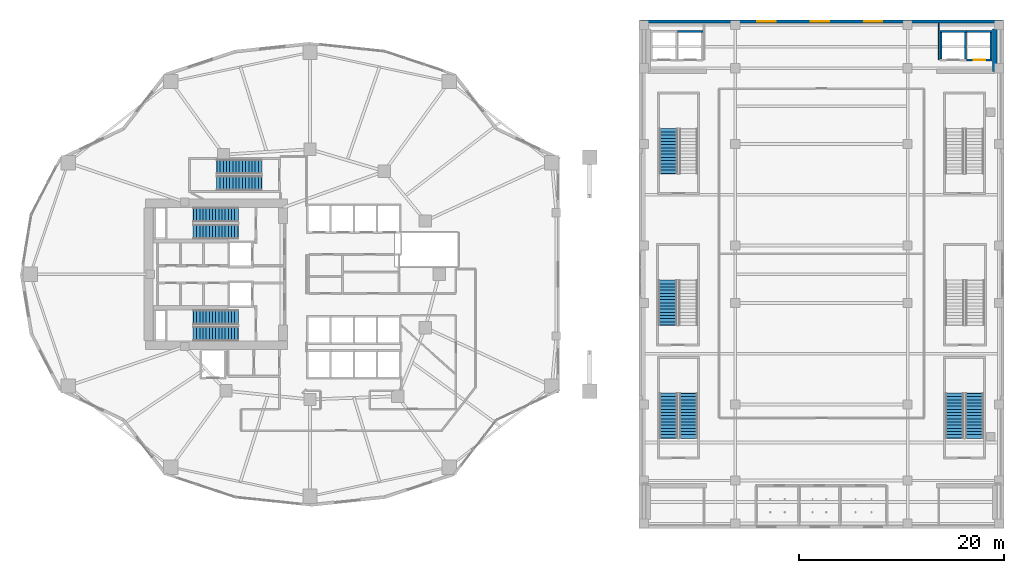
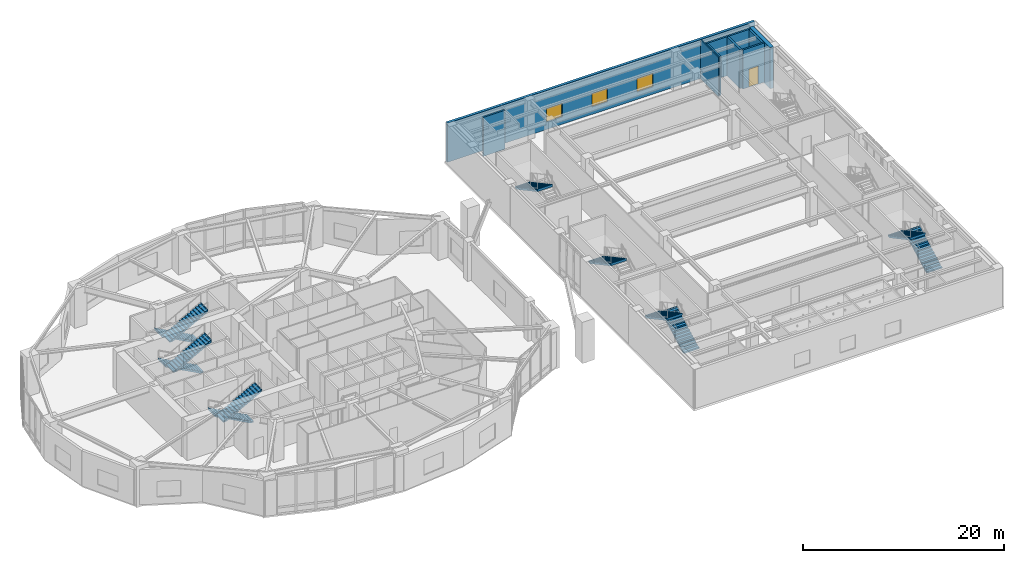
# One storey, part 16 of 21: 12 stair flights, 10 walls, 3 windows, 1 door, 4 openings, 7 elements without a shape of their own.
"""IFC4 building model written with IfcOpenShell, lengths in metres."""

from ifc_helpers import new_model, si_unit, direction, frame, frame_2d, origin, place, context, subcontext, project, spatial, polyline, rectangle, outline, extrude, material, layer, layer_set, type_object, element, fill, aggregate, save


model = new_model("IFC4")

# Units and contexts
model_context = context("Model", 3, precision=1e-05, world=origin(), true_north=direction((0.0, 1.0)))
body_context = subcontext(model_context, "Body", "Model", "MODEL_VIEW")
ifc_project = project(units=[si_unit("LENGTHUNIT", "METRE"), si_unit("AREAUNIT", "SQUARE_METRE"), si_unit("VOLUMEUNIT", "CUBIC_METRE"), si_unit("PLANEANGLEUNIT", "RADIAN"), si_unit("MASSUNIT", "GRAM", prefix="KILO")], contexts=[model_context])

# Site, building, storey
site_placement = place(None, origin())
site = spatial("IfcSite", under=ifc_project, at=site_placement, CompositionType="ELEMENT")
building_placement = place(site_placement, origin())
building = spatial("IfcBuilding", under=site, at=building_placement, Name="Kolvaren Gate Tower and Convention Centre", CompositionType="ELEMENT")
storey_placement = place(building_placement, frame((0.0, 0.0, 5.0)))
storey = spatial("IfcBuildingStorey", under=building, at=storey_placement, Name="L01", CompositionType="ELEMENT", Elevation=5.0)

# Walls
ifc_material_1 = material(Name="Fire-Rated Acoustic Gypsum Stud Partition", Category="gypsum")
ifc_layer_1 = layer(ifc_material_1, 0.1201171875)
ifc_layer_set_1 = layer_set([ifc_layer_1], Name="Fire-Rated Acoustic Gypsum Stud Partition")
wall_type_1 = type_object("IfcWallType", Name="ARCH-WL-PART-120", PredefinedType="PARTITIONING", material=ifc_layer_set_1)
wall_1_placement = place(storey_placement, frame((91.449951171875, 47.89990234375, 0.0), z_axis=(0.0, 0.0, 1.0), x_axis=(0.0, 1.0, 0.0)))
element("IfcWall", 1, at=wall_1_placement, inside=storey, type_object=wall_type_1, Name="Interior Partition WL-L01-INT-055", PredefinedType="PARTITIONING", context=body_context, shape_type="SweptSolid", body=[
    extrude(rectangle(XDim=3.59814453125, YDim=0.1201171875, at=frame_2d((1.799072265625, 0.0))), origin(), (0.0, 0.0, 1.0), 4.739990234375),
])
ifc_material_2 = material(Name="Autoclaved Aerated Masonry Blockwork Class 4 (4.0 MPa)", Category="masonry")
ifc_layer_2 = layer(ifc_material_2, 0.199951171875)
ifc_layer_set_2 = layer_set([ifc_layer_2], Name="Autoclaved Aerated Masonry Blockwork Class 4 (4.0 MPa)")
wall_type_2 = type_object("IfcWallType", Name="ARCH-WL-SHAFT-200", PredefinedType="SOLIDWALL", material=ifc_layer_set_2)
wall_2_placement = place(storey_placement, frame((65.949951171875, 50.699951171875, 0.0), z_axis=(0.0, 0.0, 1.0), x_axis=(1.0, 0.0, 0.0)))
element("IfcWall", 2, at=wall_2_placement, inside=storey, type_object=wall_type_2, Name="Elevator CL-02 L01 Fire Shaft Wall N", PredefinedType="SOLIDWALL", context=body_context, shape_type="SweptSolid", body=[
    extrude(rectangle(XDim=2.5, YDim=0.199951171875, at=frame_2d((1.25, 0.0))), origin(), (0.0, 0.0, 1.0), 4.739990234375),
])
wall_3_placement = place(storey_placement, frame((91.550048828125, 50.699951171875, 0.0), z_axis=(0.0, 0.0, 1.0), x_axis=(1.0, 0.0, 0.0)))
element("IfcWall", 3, at=wall_3_placement, inside=storey, type_object=wall_type_2, Name="Elevator CL-03 L01 Fire Shaft Wall N", PredefinedType="SOLIDWALL", context=body_context, shape_type="SweptSolid", body=[
    extrude(rectangle(XDim=2.599853515625, YDim=0.199951171875, at=frame_2d((1.2998046875, 0.0))), origin(), (0.0, 0.0, 1.0), 4.739990234375),
])
for number, where, z_axis, x_axis, name in (
    (4, (91.64990234375, 48.010009765625, 0.0), (0.0, 0.0, 1.0), (0.0, 1.0, 0.0), "Elevator CL-03 L01 Fire Shaft Wall W"),
    (5, (94.050048828125, 48.010009765625, 0.0), (0.0, 0.0, 1.0), (0.0, 1.0, 0.0), "Elevator CL-03 L01 Fire Shaft Wall E"),
):
    element("IfcWall", number, at=place(storey_placement, frame(where, z_axis=z_axis, x_axis=x_axis)), inside=storey, type_object=wall_type_2, Name=name, PredefinedType="SOLIDWALL", context=body_context, shape_type="SweptSolid", body=[
        extrude(rectangle(XDim=2.580078125, YDim=0.199951171875, at=frame_2d((1.2900390625, 0.0))), origin(), (0.0, 0.0, 1.0), 4.739990234375),
    ])
wall_4_placement = place(storey_placement, frame((94.14990234375, 50.699951171875, 0.0), z_axis=(0.0, 0.0, 1.0), x_axis=(1.0, 0.0, 0.0)))
element("IfcWall", 6, at=wall_4_placement, inside=storey, type_object=wall_type_2, Name="Elevator CL-04 L01 Fire Shaft Wall N", PredefinedType="SOLIDWALL", context=body_context, shape_type="SweptSolid", body=[
    extrude(rectangle(XDim=2.5, YDim=0.199951171875, at=frame_2d((1.25, 0.0))), origin(), (0.0, 0.0, 1.0), 4.739990234375),
])

# Wall, opening, door
wall_5_placement = place(storey_placement, frame((94.14990234375, 47.89990234375, 0.0), z_axis=(0.0, 0.0, 1.0), x_axis=(1.0, 0.0, 0.0)))
wall_5 = element("IfcWall", 7, at=wall_5_placement, inside=storey, type_object=wall_type_2, Name="Elevator CL-04 L01 Fire Shaft Wall S", PredefinedType="SOLIDWALL", context=body_context, shape_type="SweptSolid", body=[
    extrude(rectangle(XDim=2.5, YDim=0.199951171875, at=frame_2d((1.25, 0.0))), origin(), (0.0, 0.0, 1.0), 4.739990234375),
])
opening_1_placement = place(wall_5_placement, frame((0.699951171875, 0.0, 0.0)))
opening_1 = element("IfcOpeningElement", 8, at=opening_1_placement, cuts=wall_5, Name="Opening LD", PredefinedType="OPENING", context=body_context, shape_type="SweptSolid", body=[
    extrude(rectangle(XDim=1.10009765625, YDim=2.199951171875, at=frame_2d((0.550048828125, 1.10009765625))), frame((0.0, 0.10986328125, 0.0), z_axis=(0.0, -1.0, 0.0), x_axis=(1.0, 0.0, 0.0)), (0.0, 0.0, 1.0), 0.219970703125),
])
ifc_material_3 = material(Name="Brushed Stainless Steel Grade 316L", Category="steel")
door_type = type_object("IfcDoorType", Name="ARCH-DR-LIFT-1100", OperationType="SLIDING_TO_LEFT", PredefinedType="DOOR", material=ifc_material_3)
door_placement = place(opening_1_placement, origin())
door = element("IfcDoor", 9, at=door_placement, inside=storey, type_object=door_type, Name="Elevator CL-04 L01 Sliding Landing Door", OperationType="SLIDING_TO_LEFT", OverallHeight=2.199951171875, OverallWidth=1.10009765625, PredefinedType="DOOR", context=body_context, shape_type="SweptSolid", body=[
    extrude(rectangle(XDim=1.10009765625, YDim=2.199951171875, at=frame_2d((0.550048828125, 1.10009765625))), frame((0.0, 0.02490234375, 0.0), z_axis=(0.0, -1.0, 0.0), x_axis=(1.0, 0.0, 0.0)), (0.0, 0.0, 1.0), 0.050048828125),
])
fill(opening_1, door)

# Wall
wall_6_placement = place(storey_placement, frame((96.550048828125, 48.010009765625, 0.0), z_axis=(0.0, 0.0, 1.0), x_axis=(0.0, 1.0, 0.0)))
element("IfcWall", 10, at=wall_6_placement, inside=storey, type_object=wall_type_2, Name="Elevator CL-04 L01 Fire Shaft Wall E", PredefinedType="SOLIDWALL", context=body_context, shape_type="SweptSolid", body=[
    extrude(rectangle(XDim=2.580078125, YDim=0.199951171875, at=frame_2d((1.2900390625, 0.0))), origin(), (0.0, 0.0, 1.0), 4.739990234375),
])

# Wall, openings, windows
ifc_material_4 = material(Name="Piedmont Cream Honed Limestone Cladding", Category="masonry")
ifc_layer_3 = layer(ifc_material_4, 0.300048828125)
ifc_layer_set_3 = layer_set([ifc_layer_3], Name="Piedmont Cream Honed Limestone Cladding")
wall_type_3 = type_object("IfcWallType", Name="ARCH-WL-STONE-300", PredefinedType="SOLIDWALL", material=ifc_layer_set_3)
wall_7_placement = place(storey_placement, frame((62.35009765625, 51.64990234375, 0.0), z_axis=(0.0, 0.0, 1.0), x_axis=(1.0, 0.0, 0.0)))
wall_7 = element("IfcWall", 11, at=wall_7_placement, inside=storey, type_object=wall_type_3, Name="Convention Centre L01 N Stone Facade Wall", PredefinedType="SOLIDWALL", context=body_context, shape_type="SweptSolid", body=[
    extrude(rectangle(XDim=35.2998046875, YDim=0.300048828125, at=frame_2d((17.64990234375, 0.0))), origin(), (0.0, 0.0, 1.0), 4.739990234375),
])
opening_2_placement = place(wall_7_placement, frame((11.39990234375, 0.0, 0.89990234375)))
opening_2 = element("IfcOpeningElement", 12, at=opening_2_placement, cuts=wall_7, Name="Opening W-05", PredefinedType="OPENING", context=body_context, shape_type="SweptSolid", body=[
    extrude(rectangle(XDim=1.800048828125, YDim=1.64990234375, at=frame_2d((0.89990234375, 0.824951171875))), frame((0.0, 0.159912109375, 0.0), z_axis=(0.0, -1.0, 0.0), x_axis=(1.0, 0.0, 0.0)), (0.0, 0.0, 1.0), 0.320068359375),
])
opening_3_placement = place(wall_7_placement, frame((16.60009765625, 0.0, 0.89990234375)))
opening_3 = element("IfcOpeningElement", 13, at=opening_3_placement, cuts=wall_7, Name="Opening W-05", PredefinedType="OPENING", context=body_context, shape_type="SweptSolid", body=[
    extrude(rectangle(XDim=1.800048828125, YDim=1.64990234375, at=frame_2d((0.89990234375, 0.824951171875))), frame((0.0, 0.159912109375, 0.0), z_axis=(0.0, -1.0, 0.0), x_axis=(1.0, 0.0, 0.0)), (0.0, 0.0, 1.0), 0.320068359375),
])
opening_4_placement = place(wall_7_placement, frame((21.800048828125, 0.0, 0.89990234375)))
opening_4 = element("IfcOpeningElement", 14, at=opening_4_placement, cuts=wall_7, Name="Opening W-05", PredefinedType="OPENING", context=body_context, shape_type="SweptSolid", body=[
    extrude(rectangle(XDim=1.800048828125, YDim=1.64990234375, at=frame_2d((0.89990234375, 0.824951171875))), frame((0.0, 0.159912109375, 0.0), z_axis=(0.0, -1.0, 0.0), x_axis=(1.0, 0.0, 0.0)), (0.0, 0.0, 1.0), 0.320068359375),
])
ifc_material_5 = material(Name="Low-E Triple Insulated Glazing Unit 44 mm", Category="glass")
window_type = type_object("IfcWindowType", Name="ARCH-WN-CONV-1800", PartitioningType="SINGLE_PANEL", PredefinedType="WINDOW", material=ifc_material_5)
window_1_placement = place(opening_2_placement, origin())
window_1 = element("IfcWindow", 15, at=window_1_placement, inside=storey, type_object=window_type, Name="Convention L01 N Clerestory Window CW-1", OverallHeight=1.64990234375, OverallWidth=1.800048828125, PartitioningType="SINGLE_PANEL", PredefinedType="WINDOW", context=body_context, shape_type="SweptSolid", body=[
    extrude(rectangle(XDim=1.800048828125, YDim=1.64990234375, at=frame_2d((0.89990234375, 0.824951171875))), frame((0.0, 0.030029296875, 0.0), z_axis=(0.0, -1.0, 0.0), x_axis=(1.0, 0.0, 0.0)), (0.0, 0.0, 1.0), 0.06005859375),
])
fill(opening_2, window_1)
window_2_placement = place(opening_3_placement, origin())
window_2 = element("IfcWindow", 16, at=window_2_placement, inside=storey, type_object=window_type, Name="Convention L01 N Clerestory Window CW-2", OverallHeight=1.64990234375, OverallWidth=1.800048828125, PartitioningType="SINGLE_PANEL", PredefinedType="WINDOW", context=body_context, shape_type="SweptSolid", body=[
    extrude(rectangle(XDim=1.800048828125, YDim=1.64990234375, at=frame_2d((0.89990234375, 0.824951171875))), frame((0.0, 0.030029296875, 0.0), z_axis=(0.0, -1.0, 0.0), x_axis=(1.0, 0.0, 0.0)), (0.0, 0.0, 1.0), 0.06005859375),
])
fill(opening_3, window_2)
window_3_placement = place(opening_4_placement, origin())
window_3 = element("IfcWindow", 17, at=window_3_placement, inside=storey, type_object=window_type, Name="Convention L01 N Clerestory Window CW-3", OverallHeight=1.64990234375, OverallWidth=1.800048828125, PartitioningType="SINGLE_PANEL", PredefinedType="WINDOW", context=body_context, shape_type="SweptSolid", body=[
    extrude(rectangle(XDim=1.800048828125, YDim=1.64990234375, at=frame_2d((0.89990234375, 0.824951171875))), frame((0.0, 0.030029296875, 0.0), z_axis=(0.0, -1.0, 0.0), x_axis=(1.0, 0.0, 0.0)), (0.0, 0.0, 1.0), 0.06005859375),
])
fill(opening_4, window_3)

# Wall
ifc_material_6 = material(Name="Concrete C50/60", Category="concrete")
ifc_layer_4 = layer(ifc_material_6, 0.419921875)
ifc_layer_set_4 = layer_set([ifc_layer_4], Name="Concrete C50/60")
wall_type_4 = type_object("IfcWallType", Name="STR-WL-CONV-420", PredefinedType="SHEAR", material=ifc_layer_set_4)
wall_8_placement = place(storey_placement, frame((96.89990234375, 46.800048828125, -0.260009765625), z_axis=(0.0, 0.0, 1.0), x_axis=(0.0, 1.0, 0.0)))
element("IfcWall", 18, at=wall_8_placement, inside=storey, type_object=wall_type_4, Name="Convention L01 Shear Core Wall CCNE-E", PredefinedType="SHEAR", context=body_context, shape_type="SweptSolid", body=[
    extrude(rectangle(XDim=4.099853515625, YDim=0.419921875, at=frame_2d((2.0498046875, 0.0))), origin(), (0.0, 0.0, 1.0), 5.0),
])

# Stair, stair flights
stair_type_1 = type_object("IfcStairType", Name="STR-STAIR-CORE", PredefinedType="HALF_TURN_STAIR", material=ifc_material_6)
stair_1_placement = place(storey_placement, origin())
stair_1 = element("IfcStair", 19, at=stair_1_placement, inside=storey, type_object=stair_type_1, Name="L01 Tower North Exit Stair ST-T1", PredefinedType="HALF_TURN_STAIR")
stair_flight_type_1 = type_object("IfcStairFlightType", Name="STR-SFL-1420", PredefinedType="STRAIGHT", material=ifc_material_6)
stair_flight_1_placement = place(storey_placement, frame((23.10009765625, 32.7900390625, 0.0), z_axis=(0.0, 0.0, 1.0), x_axis=(-1.0, 0.0, 0.0)))
stair_flight_1 = element("IfcStairFlight", 20, at=stair_flight_1_placement, type_object=stair_flight_type_1, Name="ST-T1 flight 1", NumberOfRisers=15, NumberOfTreads=14, PredefinedType="STRAIGHT", RiserHeight=0.166666667, TreadLength=0.31, context=body_context, shape_type="SweptSolid", body=[
    extrude(outline(polyline([(-0.034912109375, 0.0), (-0.034912109375, 0.166748046875), (0.31005859375, 0.166748046875), (0.31005859375, 0.333251953125), (0.6201171875, 0.333251953125), (0.6201171875, 0.5), (0.929931640625, 0.5), (0.929931640625, 0.666748046875), (1.239990234375, 0.666748046875), (1.239990234375, 0.833251953125), (1.550048828125, 0.833251953125), (1.550048828125, 1.0), (1.860107421875, 1.0), (1.860107421875, 1.166748046875), (2.169921875, 1.166748046875), (2.169921875, 1.333251953125), (2.47998046875, 1.333251953125), (2.47998046875, 1.5), (2.7900390625, 1.5), (2.7900390625, 1.666748046875), (3.10009765625, 1.666748046875), (3.10009765625, 1.833251953125), (3.409912109375, 1.833251953125), (3.409912109375, 2.0), (3.719970703125, 2.0), (3.719970703125, 2.166748046875), (4.030029296875, 2.166748046875), (4.030029296875, 2.333251953125), (4.340087890625, 2.333251953125), (4.340087890625, 2.5), (4.385009765625, 2.5), (4.385009765625, 2.340087890625), (4.340087890625, 2.1630859375), (0.316650390625, 0.0), (-0.034912109375, 0.0)])), frame((0.0, 0.7099609375, 0.0), z_axis=(0.0, -1.0, 0.0), x_axis=(1.0, 0.0, 0.0)), (0.0, 0.0, 1.0), 1.419921875),
])
stair_flight_2_placement = place(storey_placement, frame((18.760009765625, 31.169921875, 2.5), z_axis=(0.0, 0.0, 1.0), x_axis=(1.0, 0.0, 0.0)))
stair_flight_2 = element("IfcStairFlight", 21, at=stair_flight_2_placement, type_object=stair_flight_type_1, Name="ST-T1 flight 2", NumberOfRisers=15, NumberOfTreads=14, PredefinedType="STRAIGHT", RiserHeight=0.166666667, TreadLength=0.31, context=body_context, shape_type="SweptSolid", body=[
    extrude(outline(polyline([(-0.034912109375, 0.0), (-0.034912109375, 0.166748046875), (0.31005859375, 0.166748046875), (0.31005859375, 0.333251953125), (0.6201171875, 0.333251953125), (0.6201171875, 0.5), (0.929931640625, 0.5), (0.929931640625, 0.666748046875), (1.239990234375, 0.666748046875), (1.239990234375, 0.833251953125), (1.550048828125, 0.833251953125), (1.550048828125, 1.0), (1.860107421875, 1.0), (1.860107421875, 1.166748046875), (2.169921875, 1.166748046875), (2.169921875, 1.333251953125), (2.47998046875, 1.333251953125), (2.47998046875, 1.5), (2.7900390625, 1.5), (2.7900390625, 1.666748046875), (3.10009765625, 1.666748046875), (3.10009765625, 1.833251953125), (3.409912109375, 1.833251953125), (3.409912109375, 2.0), (3.719970703125, 2.0), (3.719970703125, 2.166748046875), (4.030029296875, 2.166748046875), (4.030029296875, 2.333251953125), (4.340087890625, 2.333251953125), (4.340087890625, 2.5), (4.385009765625, 2.5), (4.385009765625, 2.340087890625), (4.340087890625, 2.1630859375), (0.316650390625, 0.0), (-0.034912109375, 0.0)])), frame((0.0, 0.7099609375, 0.0), z_axis=(0.0, -1.0, 0.0), x_axis=(1.0, 0.0, 0.0)), (0.0, 0.0, 1.0), 1.419921875),
])
aggregate(stair_1, [stair_flight_1, stair_flight_2])

stair_2_placement = place(storey_placement, origin())
stair_2 = element("IfcStair", 22, at=stair_2_placement, inside=storey, type_object=stair_type_1, Name="L01 Tower South Exit Stair ST-T2", PredefinedType="HALF_TURN_STAIR")
stair_flight_3_placement = place(storey_placement, frame((23.10009765625, 22.830078125, 0.0), z_axis=(0.0, 0.0, 1.0), x_axis=(-1.0, 0.0, 0.0)))
stair_flight_3 = element("IfcStairFlight", 23, at=stair_flight_3_placement, type_object=stair_flight_type_1, Name="ST-T2 flight 1", NumberOfRisers=15, NumberOfTreads=14, PredefinedType="STRAIGHT", RiserHeight=0.166666667, TreadLength=0.31, context=body_context, shape_type="SweptSolid", body=[
    extrude(outline(polyline([(-0.034912109375, 0.0), (-0.034912109375, 0.166748046875), (0.31005859375, 0.166748046875), (0.31005859375, 0.333251953125), (0.6201171875, 0.333251953125), (0.6201171875, 0.5), (0.929931640625, 0.5), (0.929931640625, 0.666748046875), (1.239990234375, 0.666748046875), (1.239990234375, 0.833251953125), (1.550048828125, 0.833251953125), (1.550048828125, 1.0), (1.860107421875, 1.0), (1.860107421875, 1.166748046875), (2.169921875, 1.166748046875), (2.169921875, 1.333251953125), (2.47998046875, 1.333251953125), (2.47998046875, 1.5), (2.7900390625, 1.5), (2.7900390625, 1.666748046875), (3.10009765625, 1.666748046875), (3.10009765625, 1.833251953125), (3.409912109375, 1.833251953125), (3.409912109375, 2.0), (3.719970703125, 2.0), (3.719970703125, 2.166748046875), (4.030029296875, 2.166748046875), (4.030029296875, 2.333251953125), (4.340087890625, 2.333251953125), (4.340087890625, 2.5), (4.385009765625, 2.5), (4.385009765625, 2.340087890625), (4.340087890625, 2.1630859375), (0.316650390625, 0.0), (-0.034912109375, 0.0)])), frame((0.0, 0.7099609375, 0.0), z_axis=(0.0, -1.0, 0.0), x_axis=(1.0, 0.0, 0.0)), (0.0, 0.0, 1.0), 1.419921875),
])
stair_flight_4_placement = place(storey_placement, frame((18.760009765625, 21.2099609375, 2.5), z_axis=(0.0, 0.0, 1.0), x_axis=(1.0, 0.0, 0.0)))
stair_flight_4 = element("IfcStairFlight", 24, at=stair_flight_4_placement, type_object=stair_flight_type_1, Name="ST-T2 flight 2", NumberOfRisers=15, NumberOfTreads=14, PredefinedType="STRAIGHT", RiserHeight=0.166666667, TreadLength=0.31, context=body_context, shape_type="SweptSolid", body=[
    extrude(outline(polyline([(-0.034912109375, 0.0), (-0.034912109375, 0.166748046875), (0.31005859375, 0.166748046875), (0.31005859375, 0.333251953125), (0.6201171875, 0.333251953125), (0.6201171875, 0.5), (0.929931640625, 0.5), (0.929931640625, 0.666748046875), (1.239990234375, 0.666748046875), (1.239990234375, 0.833251953125), (1.550048828125, 0.833251953125), (1.550048828125, 1.0), (1.860107421875, 1.0), (1.860107421875, 1.166748046875), (2.169921875, 1.166748046875), (2.169921875, 1.333251953125), (2.47998046875, 1.333251953125), (2.47998046875, 1.5), (2.7900390625, 1.5), (2.7900390625, 1.666748046875), (3.10009765625, 1.666748046875), (3.10009765625, 1.833251953125), (3.409912109375, 1.833251953125), (3.409912109375, 2.0), (3.719970703125, 2.0), (3.719970703125, 2.166748046875), (4.030029296875, 2.166748046875), (4.030029296875, 2.333251953125), (4.340087890625, 2.333251953125), (4.340087890625, 2.5), (4.385009765625, 2.5), (4.385009765625, 2.340087890625), (4.340087890625, 2.1630859375), (0.316650390625, 0.0), (-0.034912109375, 0.0)])), frame((0.0, 0.7099609375, 0.0), z_axis=(0.0, -1.0, 0.0), x_axis=(1.0, 0.0, 0.0)), (0.0, 0.0, 1.0), 1.419921875),
])
aggregate(stair_2, [stair_flight_3, stair_flight_4])

stair_3_placement = place(storey_placement, origin())
stair_3 = element("IfcStair", 25, at=stair_3_placement, inside=storey, type_object=stair_type_1, Name="L01 Tower Mid-Zone Exit Stair ST-T3", PredefinedType="HALF_TURN_STAIR")
stair_flight_5_placement = place(storey_placement, frame((25.39990234375, 37.489990234375, 0.0), z_axis=(0.0, 0.0, 1.0), x_axis=(-1.0, 0.0, 0.0)))
stair_flight_5 = element("IfcStairFlight", 26, at=stair_flight_5_placement, type_object=stair_flight_type_1, Name="ST-T3 flight 1", NumberOfRisers=15, NumberOfTreads=14, PredefinedType="STRAIGHT", RiserHeight=0.166666667, TreadLength=0.31, context=body_context, shape_type="SweptSolid", body=[
    extrude(outline(polyline([(-0.034912109375, 0.0), (-0.034912109375, 0.166748046875), (0.31005859375, 0.166748046875), (0.31005859375, 0.333251953125), (0.6201171875, 0.333251953125), (0.6201171875, 0.5), (0.929931640625, 0.5), (0.929931640625, 0.666748046875), (1.239990234375, 0.666748046875), (1.239990234375, 0.833251953125), (1.550048828125, 0.833251953125), (1.550048828125, 1.0), (1.860107421875, 1.0), (1.860107421875, 1.166748046875), (2.169921875, 1.166748046875), (2.169921875, 1.333251953125), (2.47998046875, 1.333251953125), (2.47998046875, 1.5), (2.7900390625, 1.5), (2.7900390625, 1.666748046875), (3.10009765625, 1.666748046875), (3.10009765625, 1.833251953125), (3.409912109375, 1.833251953125), (3.409912109375, 2.0), (3.719970703125, 2.0), (3.719970703125, 2.166748046875), (4.030029296875, 2.166748046875), (4.030029296875, 2.333251953125), (4.340087890625, 2.333251953125), (4.340087890625, 2.5), (4.385009765625, 2.5), (4.385009765625, 2.340087890625), (4.340087890625, 2.1630859375), (0.316650390625, 0.0), (-0.034912109375, 0.0)])), frame((0.0, 0.7099609375, 0.0), z_axis=(0.0, -1.0, 0.0), x_axis=(1.0, 0.0, 0.0)), (0.0, 0.0, 1.0), 1.419921875),
])
stair_flight_6_placement = place(storey_placement, frame((21.06005859375, 35.8701171875, 2.5), z_axis=(0.0, 0.0, 1.0), x_axis=(1.0, 0.0, 0.0)))
stair_flight_6 = element("IfcStairFlight", 27, at=stair_flight_6_placement, type_object=stair_flight_type_1, Name="ST-T3 flight 2", NumberOfRisers=15, NumberOfTreads=14, PredefinedType="STRAIGHT", RiserHeight=0.166666667, TreadLength=0.31, context=body_context, shape_type="SweptSolid", body=[
    extrude(outline(polyline([(-0.034912109375, 0.0), (-0.034912109375, 0.166748046875), (0.31005859375, 0.166748046875), (0.31005859375, 0.333251953125), (0.6201171875, 0.333251953125), (0.6201171875, 0.5), (0.929931640625, 0.5), (0.929931640625, 0.666748046875), (1.239990234375, 0.666748046875), (1.239990234375, 0.833251953125), (1.550048828125, 0.833251953125), (1.550048828125, 1.0), (1.860107421875, 1.0), (1.860107421875, 1.166748046875), (2.169921875, 1.166748046875), (2.169921875, 1.333251953125), (2.47998046875, 1.333251953125), (2.47998046875, 1.5), (2.7900390625, 1.5), (2.7900390625, 1.666748046875), (3.10009765625, 1.666748046875), (3.10009765625, 1.833251953125), (3.409912109375, 1.833251953125), (3.409912109375, 2.0), (3.719970703125, 2.0), (3.719970703125, 2.166748046875), (4.030029296875, 2.166748046875), (4.030029296875, 2.333251953125), (4.340087890625, 2.333251953125), (4.340087890625, 2.5), (4.385009765625, 2.5), (4.385009765625, 2.340087890625), (4.340087890625, 2.1630859375), (0.316650390625, 0.0), (-0.034912109375, 0.0)])), frame((0.0, 0.7099609375, 0.0), z_axis=(0.0, -1.0, 0.0), x_axis=(1.0, 0.0, 0.0)), (0.0, 0.0, 1.0), 1.419921875),
])
aggregate(stair_3, [stair_flight_5, stair_flight_6])

# Stair, stair flight
stair_type_2 = type_object("IfcStairType", Name="STR-STAIR-CONV", PredefinedType="HALF_TURN_STAIR", material=ifc_material_6)
stair_4_placement = place(storey_placement, origin())
stair_4 = element("IfcStair", 28, at=stair_4_placement, inside=storey, type_object=stair_type_2, Name="L01 Convention NW Exit Stair ST-C1", PredefinedType="HALF_TURN_STAIR")
stair_flight_type_2 = type_object("IfcStairFlightType", Name="STR-SFL-1750", PredefinedType="STRAIGHT", material=ifc_material_6)
stair_flight_7_placement = place(storey_placement, frame((65.074951171875, 41.18994140625, 2.5), z_axis=(0.0, 0.0, 1.0), x_axis=(0.0, -1.0, 0.0)))
stair_flight_7 = element("IfcStairFlight", 29, at=stair_flight_7_placement, type_object=stair_flight_type_2, Name="ST-C1 flight 2", NumberOfRisers=15, NumberOfTreads=14, PredefinedType="STRAIGHT", RiserHeight=0.166666667, TreadLength=0.31, context=body_context, shape_type="SweptSolid", body=[
    extrude(outline(polyline([(-0.034912109375, 0.0), (-0.034912109375, 0.166748046875), (0.31005859375, 0.166748046875), (0.31005859375, 0.333251953125), (0.6201171875, 0.333251953125), (0.6201171875, 0.5), (0.929931640625, 0.5), (0.929931640625, 0.666748046875), (1.239990234375, 0.666748046875), (1.239990234375, 0.833251953125), (1.550048828125, 0.833251953125), (1.550048828125, 1.0), (1.860107421875, 1.0), (1.860107421875, 1.166748046875), (2.169921875, 1.166748046875), (2.169921875, 1.333251953125), (2.47998046875, 1.333251953125), (2.47998046875, 1.5), (2.7900390625, 1.5), (2.7900390625, 1.666748046875), (3.10009765625, 1.666748046875), (3.10009765625, 1.833251953125), (3.409912109375, 1.833251953125), (3.409912109375, 2.0), (3.719970703125, 2.0), (3.719970703125, 2.166748046875), (4.030029296875, 2.166748046875), (4.030029296875, 2.333251953125), (4.340087890625, 2.333251953125), (4.340087890625, 2.5), (4.385009765625, 2.5), (4.385009765625, 2.340087890625), (4.340087890625, 2.1630859375), (0.316650390625, 0.0), (-0.034912109375, 0.0)])), frame((0.0, 0.875, 0.0), z_axis=(0.0, -1.0, 0.0), x_axis=(1.0, 0.0, 0.0)), (0.0, 0.0, 1.0), 1.75),
])
aggregate(stair_4, [stair_flight_7])

# Stair, stair flights
stair_5_placement = place(storey_placement, origin())
stair_5 = element("IfcStair", 30, at=stair_5_placement, inside=storey, type_object=stair_type_2, Name="L01 Convention SW Exit Stair ST-C2", PredefinedType="HALF_TURN_STAIR")
stair_flight_8_placement = place(storey_placement, frame((67.02490234375, 11.050048828125, 0.0), z_axis=(0.0, 0.0, 1.0), x_axis=(0.0, 1.0, 0.0)))
stair_flight_8 = element("IfcStairFlight", 31, at=stair_flight_8_placement, type_object=stair_flight_type_2, Name="ST-C2 flight 1", NumberOfRisers=15, NumberOfTreads=14, PredefinedType="STRAIGHT", RiserHeight=0.166666667, TreadLength=0.31, context=body_context, shape_type="SweptSolid", body=[
    extrude(outline(polyline([(-0.034912109375, 0.0), (-0.034912109375, 0.166748046875), (0.31005859375, 0.166748046875), (0.31005859375, 0.333251953125), (0.6201171875, 0.333251953125), (0.6201171875, 0.5), (0.929931640625, 0.5), (0.929931640625, 0.666748046875), (1.239990234375, 0.666748046875), (1.239990234375, 0.833251953125), (1.550048828125, 0.833251953125), (1.550048828125, 1.0), (1.860107421875, 1.0), (1.860107421875, 1.166748046875), (2.169921875, 1.166748046875), (2.169921875, 1.333251953125), (2.47998046875, 1.333251953125), (2.47998046875, 1.5), (2.7900390625, 1.5), (2.7900390625, 1.666748046875), (3.10009765625, 1.666748046875), (3.10009765625, 1.833251953125), (3.409912109375, 1.833251953125), (3.409912109375, 2.0), (3.719970703125, 2.0), (3.719970703125, 2.166748046875), (4.030029296875, 2.166748046875), (4.030029296875, 2.333251953125), (4.340087890625, 2.333251953125), (4.340087890625, 2.5), (4.385009765625, 2.5), (4.385009765625, 2.340087890625), (4.340087890625, 2.1630859375), (0.316650390625, 0.0), (-0.034912109375, 0.0)])), frame((0.0, 0.875, 0.0), z_axis=(0.0, -1.0, 0.0), x_axis=(1.0, 0.0, 0.0)), (0.0, 0.0, 1.0), 1.75),
])
stair_flight_9_placement = place(storey_placement, frame((65.074951171875, 15.389892578125, 2.5), z_axis=(0.0, 0.0, 1.0), x_axis=(0.0, -1.0, 0.0)))
stair_flight_9 = element("IfcStairFlight", 32, at=stair_flight_9_placement, type_object=stair_flight_type_2, Name="ST-C2 flight 2", NumberOfRisers=15, NumberOfTreads=14, PredefinedType="STRAIGHT", RiserHeight=0.166666667, TreadLength=0.31, context=body_context, shape_type="SweptSolid", body=[
    extrude(outline(polyline([(-0.034912109375, 0.0), (-0.034912109375, 0.166748046875), (0.31005859375, 0.166748046875), (0.31005859375, 0.333251953125), (0.6201171875, 0.333251953125), (0.6201171875, 0.5), (0.929931640625, 0.5), (0.929931640625, 0.666748046875), (1.239990234375, 0.666748046875), (1.239990234375, 0.833251953125), (1.550048828125, 0.833251953125), (1.550048828125, 1.0), (1.860107421875, 1.0), (1.860107421875, 1.166748046875), (2.169921875, 1.166748046875), (2.169921875, 1.333251953125), (2.47998046875, 1.333251953125), (2.47998046875, 1.5), (2.7900390625, 1.5), (2.7900390625, 1.666748046875), (3.10009765625, 1.666748046875), (3.10009765625, 1.833251953125), (3.409912109375, 1.833251953125), (3.409912109375, 2.0), (3.719970703125, 2.0), (3.719970703125, 2.166748046875), (4.030029296875, 2.166748046875), (4.030029296875, 2.333251953125), (4.340087890625, 2.333251953125), (4.340087890625, 2.5), (4.385009765625, 2.5), (4.385009765625, 2.340087890625), (4.340087890625, 2.1630859375), (0.316650390625, 0.0), (-0.034912109375, 0.0)])), frame((0.0, 0.875, 0.0), z_axis=(0.0, -1.0, 0.0), x_axis=(1.0, 0.0, 0.0)), (0.0, 0.0, 1.0), 1.75),
])
aggregate(stair_5, [stair_flight_8, stair_flight_9])

stair_6_placement = place(storey_placement, origin())
stair_6 = element("IfcStair", 33, at=stair_6_placement, inside=storey, type_object=stair_type_2, Name="L01 Convention SE Exit Stair ST-C4", PredefinedType="HALF_TURN_STAIR")
stair_flight_10_placement = place(storey_placement, frame((94.925048828125, 11.050048828125, 0.0), z_axis=(0.0, 0.0, 1.0), x_axis=(0.0, 1.0, 0.0)))
stair_flight_10 = element("IfcStairFlight", 34, at=stair_flight_10_placement, type_object=stair_flight_type_2, Name="ST-C4 flight 1", NumberOfRisers=15, NumberOfTreads=14, PredefinedType="STRAIGHT", RiserHeight=0.166666667, TreadLength=0.31, context=body_context, shape_type="SweptSolid", body=[
    extrude(outline(polyline([(-0.034912109375, 0.0), (-0.034912109375, 0.166748046875), (0.31005859375, 0.166748046875), (0.31005859375, 0.333251953125), (0.6201171875, 0.333251953125), (0.6201171875, 0.5), (0.929931640625, 0.5), (0.929931640625, 0.666748046875), (1.239990234375, 0.666748046875), (1.239990234375, 0.833251953125), (1.550048828125, 0.833251953125), (1.550048828125, 1.0), (1.860107421875, 1.0), (1.860107421875, 1.166748046875), (2.169921875, 1.166748046875), (2.169921875, 1.333251953125), (2.47998046875, 1.333251953125), (2.47998046875, 1.5), (2.7900390625, 1.5), (2.7900390625, 1.666748046875), (3.10009765625, 1.666748046875), (3.10009765625, 1.833251953125), (3.409912109375, 1.833251953125), (3.409912109375, 2.0), (3.719970703125, 2.0), (3.719970703125, 2.166748046875), (4.030029296875, 2.166748046875), (4.030029296875, 2.333251953125), (4.340087890625, 2.333251953125), (4.340087890625, 2.5), (4.385009765625, 2.5), (4.385009765625, 2.340087890625), (4.340087890625, 2.1630859375), (0.316650390625, 0.0), (-0.034912109375, 0.0)])), frame((0.0, 0.875, 0.0), z_axis=(0.0, -1.0, 0.0), x_axis=(1.0, 0.0, 0.0)), (0.0, 0.0, 1.0), 1.75),
])
stair_flight_11_placement = place(storey_placement, frame((92.97509765625, 15.389892578125, 2.5), z_axis=(0.0, 0.0, 1.0), x_axis=(0.0, -1.0, 0.0)))
stair_flight_11 = element("IfcStairFlight", 35, at=stair_flight_11_placement, type_object=stair_flight_type_2, Name="ST-C4 flight 2", NumberOfRisers=15, NumberOfTreads=14, PredefinedType="STRAIGHT", RiserHeight=0.166666667, TreadLength=0.31, context=body_context, shape_type="SweptSolid", body=[
    extrude(outline(polyline([(-0.034912109375, 0.0), (-0.034912109375, 0.166748046875), (0.31005859375, 0.166748046875), (0.31005859375, 0.333251953125), (0.6201171875, 0.333251953125), (0.6201171875, 0.5), (0.929931640625, 0.5), (0.929931640625, 0.666748046875), (1.239990234375, 0.666748046875), (1.239990234375, 0.833251953125), (1.550048828125, 0.833251953125), (1.550048828125, 1.0), (1.860107421875, 1.0), (1.860107421875, 1.166748046875), (2.169921875, 1.166748046875), (2.169921875, 1.333251953125), (2.47998046875, 1.333251953125), (2.47998046875, 1.5), (2.7900390625, 1.5), (2.7900390625, 1.666748046875), (3.10009765625, 1.666748046875), (3.10009765625, 1.833251953125), (3.409912109375, 1.833251953125), (3.409912109375, 2.0), (3.719970703125, 2.0), (3.719970703125, 2.166748046875), (4.030029296875, 2.166748046875), (4.030029296875, 2.333251953125), (4.340087890625, 2.333251953125), (4.340087890625, 2.5), (4.385009765625, 2.5), (4.385009765625, 2.340087890625), (4.340087890625, 2.1630859375), (0.316650390625, 0.0), (-0.034912109375, 0.0)])), frame((0.0, 0.875, 0.0), z_axis=(0.0, -1.0, 0.0), x_axis=(1.0, 0.0, 0.0)), (0.0, 0.0, 1.0), 1.75),
])
aggregate(stair_6, [stair_flight_10, stair_flight_11])

# Stair, stair flight
stair_7_placement = place(storey_placement, origin())
stair_7 = element("IfcStair", 36, at=stair_7_placement, inside=storey, type_object=stair_type_2, Name="L01 Convention West Assembly Stair ST-C5", PredefinedType="HALF_TURN_STAIR")
stair_flight_12_placement = place(storey_placement, frame((65.0, 26.389892578125, 2.5), z_axis=(0.0, 0.0, 1.0), x_axis=(0.0, -1.0, 0.0)))
stair_flight_12 = element("IfcStairFlight", 37, at=stair_flight_12_placement, type_object=stair_flight_type_2, Name="ST-C5 flight 2", NumberOfRisers=15, NumberOfTreads=14, PredefinedType="STRAIGHT", RiserHeight=0.166666667, TreadLength=0.31, context=body_context, shape_type="SweptSolid", body=[
    extrude(outline(polyline([(-0.034912109375, 0.0), (-0.034912109375, 0.166748046875), (0.31005859375, 0.166748046875), (0.31005859375, 0.333251953125), (0.6201171875, 0.333251953125), (0.6201171875, 0.5), (0.929931640625, 0.5), (0.929931640625, 0.666748046875), (1.239990234375, 0.666748046875), (1.239990234375, 0.833251953125), (1.550048828125, 0.833251953125), (1.550048828125, 1.0), (1.860107421875, 1.0), (1.860107421875, 1.166748046875), (2.169921875, 1.166748046875), (2.169921875, 1.333251953125), (2.47998046875, 1.333251953125), (2.47998046875, 1.5), (2.7900390625, 1.5), (2.7900390625, 1.666748046875), (3.10009765625, 1.666748046875), (3.10009765625, 1.833251953125), (3.409912109375, 1.833251953125), (3.409912109375, 2.0), (3.719970703125, 2.0), (3.719970703125, 2.166748046875), (4.030029296875, 2.166748046875), (4.030029296875, 2.333251953125), (4.340087890625, 2.333251953125), (4.340087890625, 2.5), (4.385009765625, 2.5), (4.385009765625, 2.340087890625), (4.340087890625, 2.1630859375), (0.316650390625, 0.0), (-0.034912109375, 0.0)])), frame((0.0, 0.89990234375, 0.0), z_axis=(0.0, -1.0, 0.0), x_axis=(1.0, 0.0, 0.0)), (0.0, 0.0, 1.0), 1.800048828125),
])
aggregate(stair_7, [stair_flight_12])

save(model, "model.ifc")
